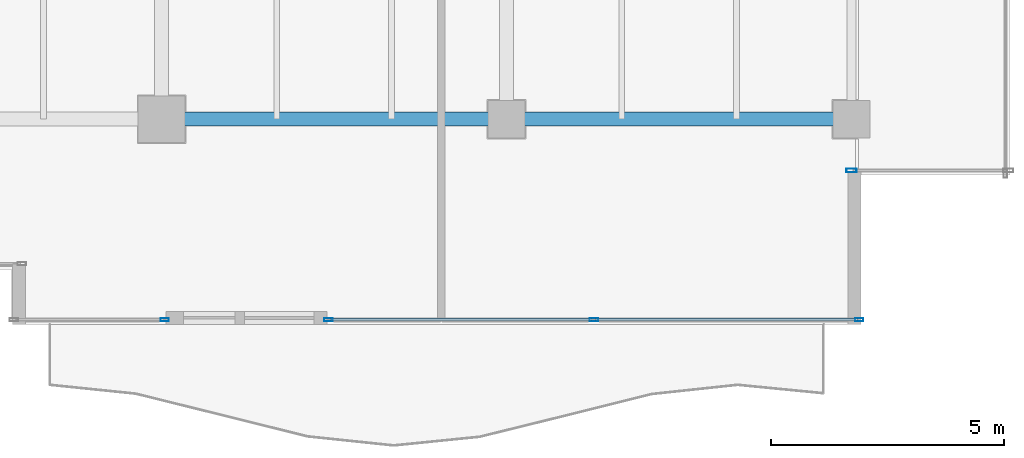
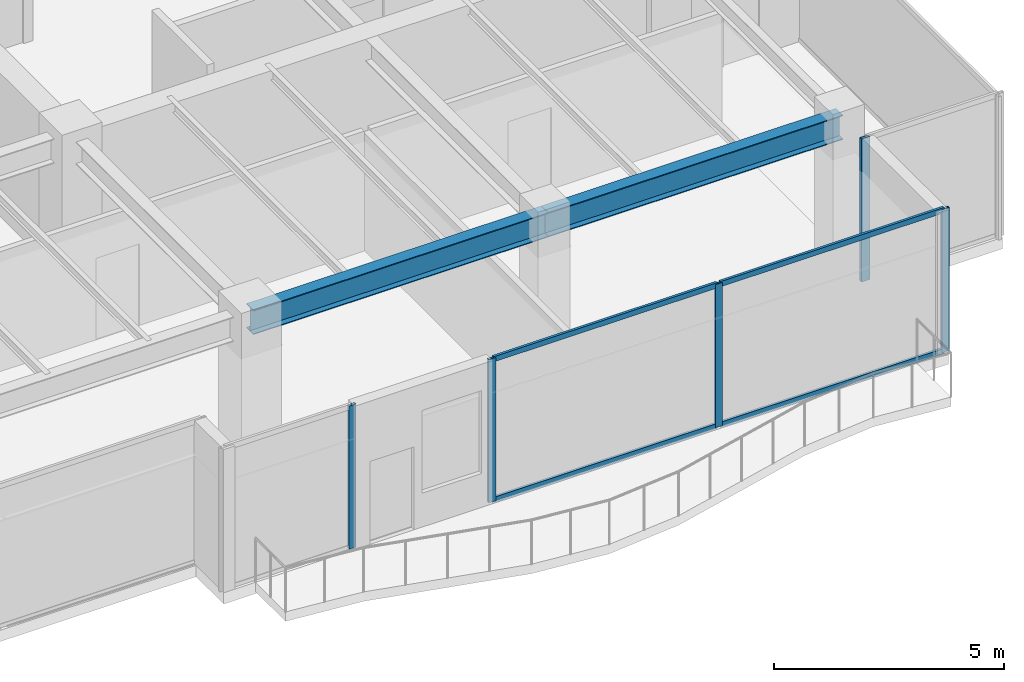
# One storey, part 12 of 35: 9 members, 2 beams, 3 elements without a shape of their own.
"""IFC4 building model written with IfcOpenShell, lengths in metres."""

import ifcopenshell
import ifcopenshell.guid

model = None  # the IFC model being written
_history = None  # IfcOwnerHistory: only IFC2X3 demands one
_inside = {}  # id of a spatial element -> (the spatial element, [elements in it])
_under = {}  # id of a project, library or spatial element -> (it, [spatial elements below it])
_declared = {}  # id of a project -> (the project, [libraries it declares])
_typed = {}  # id of a type object -> (the type object, [elements of that type])
_made_of = {}  # id of a material, layer set ... -> (it, [elements and type objects made of it])


def new_model(schema):
    """Start an empty IFC model of exactly this schema.

    Asked for "IFC4X3", IfcOpenShell would pick the latest addendum, in which some entities
    have other attributes; the version numbers below select the first issue.
    IFC2X3 requires an IfcOwnerHistory on every rooted entity: one is made here for all.
    """
    global model, _history
    if schema == "IFC4X3":
        model = ifcopenshell.file(schema_version=(4, 3, 0, 0))
    else:
        model = ifcopenshell.file(schema=schema)
    _inside.clear()
    _under.clear()
    _declared.clear()
    _typed.clear()
    _made_of.clear()
    _history = None
    if model.schema == "IFC2X3":
        org = make("IfcOrganization", Name="unknown")
        user = make(
            "IfcPersonAndOrganization",
            ThePerson=make("IfcPerson", FamilyName="unknown"),
            TheOrganization=org,
        )
        app = make(
            "IfcApplication",
            ApplicationDeveloper=org,
            Version="unknown",
            ApplicationFullName="unknown",
            ApplicationIdentifier="unknown",
        )
        _history = make(
            "IfcOwnerHistory",
            OwningUser=user,
            OwningApplication=app,
            ChangeAction="ADDED",
            CreationDate=0,
        )
    return model


def make(cls, **values):
    """One entity of the class cls with the attributes given. An attribute that is None is left unset."""
    return model.create_entity(
        cls, **{name: value for name, value in values.items() if value is not None}
    )


def rooted(cls, **values):
    """An entity with a GlobalId (a new one), such as an element, a storey or a relation."""
    return make(cls, GlobalId=ifcopenshell.guid.new(), OwnerHistory=_history, **values)


def si_unit(unit_type, name, prefix=None):
    """IfcSIUnit, for example si_unit("LENGTHUNIT", "METRE", prefix="MILLI")."""
    return make("IfcSIUnit", UnitType=unit_type, Prefix=prefix, Name=name)


def assignment(units):
    """IfcUnitAssignment: the units of a project."""
    return None if units is None else make("IfcUnitAssignment", Units=units)


def point(xyz):
    """IfcCartesianPoint."""
    return None if xyz is None else make("IfcCartesianPoint", Coordinates=xyz)


def direction(xyz):
    """IfcDirection."""
    return None if xyz is None else make("IfcDirection", DirectionRatios=xyz)


def frame(location, z_axis=None, x_axis=None):
    """IfcAxis2Placement3D, a coordinate frame: its origin and axes. An axis left out is left unset."""
    return make(
        "IfcAxis2Placement3D",
        Location=point(location),
        Axis=direction(z_axis),
        RefDirection=direction(x_axis),
    )


def frame_2d(location, x_axis=None):
    """IfcAxis2Placement2D, a coordinate frame in the plane: its origin and x axis."""
    return make(
        "IfcAxis2Placement2D", Location=point(location), RefDirection=direction(x_axis)
    )


def origin():
    """The frame at (0, 0, 0) with its axes left unset."""
    return frame((0.0, 0.0, 0.0))


def origin_2d():
    """The frame at (0, 0) in the plane with its x axis left unset."""
    return frame_2d((0.0, 0.0))


def place(relative_to, where):
    """IfcLocalPlacement: puts the frame where relative to a parent placement (None: the world)."""
    return make(
        "IfcLocalPlacement", PlacementRelTo=relative_to, RelativePlacement=where
    )


def context(
    kind, dimensions, precision=None, world=None, true_north=None, identifier=None
):
    """IfcGeometricRepresentationContext, for example the 3D "Model" context."""
    return make(
        "IfcGeometricRepresentationContext",
        ContextIdentifier=identifier,
        ContextType=kind,
        CoordinateSpaceDimension=dimensions,
        Precision=precision,
        WorldCoordinateSystem=world,
        TrueNorth=true_north,
    )


def subcontext(parent, identifier, kind, view, scale=None):
    """IfcGeometricRepresentationSubContext, for example "Body" below "Model"."""
    return make(
        "IfcGeometricRepresentationSubContext",
        ContextIdentifier=identifier,
        ContextType=kind,
        ParentContext=parent,
        TargetScale=scale,
        TargetView=view,
    )


def project(units=None, contexts=None):
    """IfcProject with its units and contexts."""
    return rooted(
        "IfcProject",
        Name="project",
        RepresentationContexts=contexts,
        UnitsInContext=assignment(units),
    )


def spatial(cls, under=None, at=None, **own):
    """A site, building, storey or space (cls), placed at a placement, below another one or the project."""
    s = rooted(cls, ObjectPlacement=at, **own)
    if under is not None:
        _under.setdefault(under.id(), (under, []))[1].append(s)
    return s


def profile(cls, at=None, kind="AREA", **sizes):
    """A parametric profile (cls). Its sizes go by their IFC names, for example OverallWidth=200.0."""
    return make(cls, ProfileType=kind, Position=at, **sizes)


def hollow_rectangle(**sizes):
    """IfcRectangleHollowProfileDef."""
    return profile("IfcRectangleHollowProfileDef", **sizes)


def i_section(**sizes):
    """IfcIShapeProfileDef."""
    return profile("IfcIShapeProfileDef", **sizes)


def extrude(swept, where, along, depth):
    """IfcExtrudedAreaSolid: the profile swept, set in the frame where, extruded along a direction by depth."""
    return make(
        "IfcExtrudedAreaSolid",
        SweptArea=swept,
        Position=where,
        ExtrudedDirection=direction(along),
        Depth=depth,
    )


def shape(context_of_items, identifier, shape_type, items):
    """IfcShapeRepresentation: the items that make up one representation, for example the "Body"."""
    return make(
        "IfcShapeRepresentation",
        ContextOfItems=context_of_items,
        RepresentationIdentifier=identifier,
        RepresentationType=shape_type,
        Items=items,
    )


def source(mapping_origin, context_of_items, identifier, shape_type, items):
    """IfcRepresentationMap: a shape defined once, which mapped items show again and again."""
    return make(
        "IfcRepresentationMap",
        MappingOrigin=mapping_origin,
        MappedRepresentation=shape(context_of_items, identifier, shape_type, items),
    )


def transform(
    local_origin,
    x_axis=None,
    y_axis=None,
    z_axis=None,
    scale=None,
    scale2=None,
    scale3=None,
    uniform=True,
):
    """IfcCartesianTransformationOperator3D, or its non-uniform kind. x_axis, y_axis, z_axis: its Axis1, 2, 3."""
    if uniform:
        return make(
            "IfcCartesianTransformationOperator3D",
            Axis1=direction(x_axis),
            Axis2=direction(y_axis),
            LocalOrigin=point(local_origin),
            Scale=scale,
            Axis3=direction(z_axis),
        )
    return make(
        "IfcCartesianTransformationOperator3DnonUniform",
        Axis1=direction(x_axis),
        Axis2=direction(y_axis),
        LocalOrigin=point(local_origin),
        Scale=scale,
        Axis3=direction(z_axis),
        Scale2=scale2,
        Scale3=scale3,
    )


def mapped(mapping_source, mapping_target):
    """IfcMappedItem: shows the shape of a source again, moved by a transform."""
    return make(
        "IfcMappedItem", MappingSource=mapping_source, MappingTarget=mapping_target
    )


def material(Name=None, Category=None):
    """IfcMaterial."""
    return make("IfcMaterial", Name=Name, Category=Category)


def layer(
    of_material, thickness, ventilated=None, Name=None, Category=None, Priority=None
):
    """IfcMaterialLayer: one layer of a wall or slab, of a material (None: an air gap)."""
    return make(
        "IfcMaterialLayer",
        Material=of_material,
        LayerThickness=thickness,
        IsVentilated=ventilated,
        Name=Name,
        Category=Category,
        Priority=Priority,
    )


def layer_set(layers, Name=None):
    """IfcMaterialLayerSet."""
    return make("IfcMaterialLayerSet", MaterialLayers=layers, LayerSetName=Name)


def material_profile(
    of_material, cross_section, Name=None, Category=None, Priority=None
):
    """IfcMaterialProfile: a cross section and its material."""
    return make(
        "IfcMaterialProfile",
        Name=Name,
        Material=of_material,
        Profile=cross_section,
        Priority=Priority,
        Category=Category,
    )


def profile_set(profiles, Name=None, composite=None):
    """IfcMaterialProfileSet."""
    return make(
        "IfcMaterialProfileSet",
        Name=Name,
        MaterialProfiles=profiles,
        CompositeProfile=composite,
    )


def made_of(thing, what):
    """Note that an element or type object is made of a material, layer set ...; save() writes the relation."""
    if what is not None:
        _made_of.setdefault(what.id(), (what, []))[1].append(thing)
    return thing


def type_object(cls, material=None, **own):
    """A type object (cls), such as IfcWallType, which elements share."""
    return made_of(rooted(cls, **own), material)


def type_shapes(of_type, sources):
    """Give a type object the sources (RepresentationMaps) that its elements show as mapped items."""
    of_type.RepresentationMaps = sources


def element(
    cls,
    number,
    at=None,
    inside=None,
    cuts=None,
    type_object=None,
    material=None,
    context=None,
    identifier="Body",
    shape_type=None,
    held_by="IfcProductDefinitionShape",
    body=None,
    shapes=None,
    **own,
):
    """One element of the class cls, such as IfcWall. Its Tag is "e" and its number.

    at: its placement. inside: the storey or other place that contains it. cuts: it is an
    opening in that element (IfcRelVoidsElement). A single representation is given by context,
    identifier, shape_type and body (its items); several are given by shapes. held_by: the class
    of the entity that holds the representations. save() writes the other relations.
    """
    e = rooted(cls, Tag="e%d" % number, ObjectPlacement=at, **own)
    if body is not None:
        shapes = [shape(context, identifier, shape_type, body)]
    if shapes is not None:
        e.Representation = make(held_by, Representations=shapes)
    if inside is not None:
        _inside.setdefault(inside.id(), (inside, []))[1].append(e)
    if cuts is not None:
        rooted(
            "IfcRelVoidsElement", RelatingBuildingElement=cuts, RelatedOpeningElement=e
        )
    if type_object is not None:
        _typed.setdefault(type_object.id(), (type_object, []))[1].append(e)
    return made_of(e, material)


def aggregate(whole, parts):
    """IfcRelAggregates: a whole, such as a stair, and the parts it consists of."""
    return rooted("IfcRelAggregates", RelatingObject=whole, RelatedObjects=parts)


def save(model, path):
    """Write the relations noted so far, then the file.

    IfcRelAggregates (storeys below a building ...), IfcRelContainedInSpatialStructure (elements
    in a storey), IfcRelDefinesByType, IfcRelAssociatesMaterial and IfcRelDeclares: one each for
    every whole, place, type object, material and project.
    """
    for whole, parts in _under.values():
        aggregate(whole, parts)
    for where, things in _inside.values():
        rooted(
            "IfcRelContainedInSpatialStructure",
            RelatedElements=things,
            RelatingStructure=where,
        )
    for kind, things in _typed.values():
        rooted("IfcRelDefinesByType", RelatedObjects=things, RelatingType=kind)
    for what, things in _made_of.values():
        rooted("IfcRelAssociatesMaterial", RelatedObjects=things, RelatingMaterial=what)
    for by, libraries in _declared.values():
        rooted("IfcRelDeclares", RelatingContext=by, RelatedDefinitions=libraries)
    model.write(path)


model = new_model("IFC4")

# Units and contexts
model_context = context("Model", 3, precision=1e-05, world=origin(), true_north=direction((0.0, 1.0)))
body_context = subcontext(model_context, "Body", "Model", "MODEL_VIEW")
ifc_project = project(units=[si_unit("LENGTHUNIT", "METRE"), si_unit("AREAUNIT", "SQUARE_METRE"), si_unit("VOLUMEUNIT", "CUBIC_METRE"), si_unit("PLANEANGLEUNIT", "RADIAN"), si_unit("MASSUNIT", "GRAM", prefix="KILO")], contexts=[model_context])

# Site, building, storey
site_placement = place(None, origin())
site = spatial("IfcSite", under=ifc_project, at=site_placement, CompositionType="ELEMENT")
building_placement = place(site_placement, origin())
building = spatial("IfcBuilding", under=site, at=building_placement, Name="Haelvirn Gate Laboratories", CompositionType="ELEMENT")
storey_placement = place(building_placement, frame((0.0, 0.0, 283.39990234375)))
storey = spatial("IfcBuildingStorey", under=building, at=storey_placement, Name="L68", CompositionType="ELEMENT", Elevation=283.39990234375)

# Beams
ifc_material_1 = material(Name="Steel SM355", Category="steel")
ifc_material_profile_1 = material_profile(ifc_material_1, i_section(OverallWidth=0.300048828125, OverallDepth=0.64990234375, WebThickness=0.012939453125, FlangeThickness=0.02197265625, at=origin_2d()), Name="H-650x300x13x22")
ifc_profile_set_1 = profile_set([ifc_material_profile_1], Name="Steel SM355")
beam_type = type_object("IfcBeamType", Name="BM-G-650", PredefinedType="BEAM", material=ifc_profile_set_1)
shared_shape_1 = source(origin(), body_context, "Body", "SweptSolid", [
    extrude(i_section(OverallWidth=0.300048828125, OverallDepth=0.64990234375, WebThickness=0.012939453125, FlangeThickness=0.02197265625, at=origin_2d()), origin(), (0.0, 0.0, 1.0), 7.39990234375),
])
type_shapes(beam_type, [shared_shape_1])
for number, where, z_axis, x_axis, name in (
    (1, (52.60009765625, 7.0, 3.47509765625), (1.0, 0.0, 0.0), (0.0, 1.0, 0.0), "L68 Primary Girder Y7.0 (52.6-60.0)"),
    (2, (60.0, 7.0, 3.47509765625), (1.0, 0.0, 0.0), (0.0, 1.0, 0.0), "L68 Primary Girder Y7.0 (60.0-67.4)"),
):
    element("IfcBeam", number, at=place(storey_placement, frame(where, z_axis=z_axis, x_axis=x_axis)), inside=storey, type_object=beam_type, Name=name, PredefinedType="BEAM", context=body_context, shape_type="MappedRepresentation", body=[
        mapped(shared_shape_1, transform((0.0, 0.0, 0.0), scale=1.0)),
    ])

# Curtain wall, member
ifc_material_2 = material(Name="Anodised bronze unitised aluminium & triple low-E glass", Category="aluminium")
ifc_layer_1 = layer(ifc_material_2, 0.176025390625, Name="CW-SYS-4")
ifc_layer_set_1 = layer_set([ifc_layer_1], Name="Anodised bronze unitised aluminium & triple low-E glass")
curtain_wall_type_1 = type_object("IfcCurtainWallType", Name="CW-SYS-4", PredefinedType="NOTDEFINED", material=ifc_layer_set_1)
curtain_wall_1_placement = place(storey_placement, origin())
curtain_wall_1 = element("IfcCurtainWall", 3, at=curtain_wall_1_placement, inside=storey, type_object=curtain_wall_type_1, Name="L68 Unitised Curtain Wall CW-L68-P0-E04-1", PredefinedType="NOTDEFINED")
ifc_material_3 = material(Name="Extruded aluminium 6063-T6 (anodised bronze)", Category="aluminium")
ifc_material_profile_2 = material_profile(ifc_material_3, hollow_rectangle(XDim=0.070068359375, YDim=0.179931640625, WallThickness=0.0048828125, at=origin_2d()), Name="CWM-180x70x5")
ifc_profile_set_2 = profile_set([ifc_material_profile_2], Name="Extruded aluminium 6063-T6 (anodised bronze)")
member_type_1 = type_object("IfcMemberType", Name="CWM-T180", PredefinedType="MULLION", material=ifc_profile_set_2)
shared_shape_2 = source(origin(), body_context, "Body", "SweptSolid", [
    extrude(hollow_rectangle(XDim=0.070068359375, YDim=0.179931640625, WallThickness=0.0048828125, at=origin_2d()), origin(), (0.0, 0.0, 1.0), 3.800048828125),
])
type_shapes(member_type_1, [shared_shape_2])
member_1_placement = place(storey_placement, frame((52.669921875, 2.699951171875, 0.0), z_axis=(0.0, 0.0, 1.0), x_axis=(0.0, 1.0, 0.0)))
member_1 = element("IfcMember", 4, at=member_1_placement, type_object=member_type_1, Name="CW4 mullion 2", PredefinedType="MULLION", context=body_context, shape_type="MappedRepresentation", body=[
    mapped(shared_shape_2, transform((0.0, 0.0, 0.0), scale=1.0)),
])
aggregate(curtain_wall_1, [member_1])

# Curtain wall, members
curtain_wall_2_placement = place(storey_placement, origin())
curtain_wall_2 = element("IfcCurtainWall", 5, at=curtain_wall_2_placement, inside=storey, type_object=curtain_wall_type_1, Name="L68 Unitised Curtain Wall CW-L68-P0-E04-2", PredefinedType="NOTDEFINED")
member_2_placement = place(storey_placement, frame((56.179931640625, 2.699951171875, 0.0), z_axis=(0.0, 0.0, 1.0), x_axis=(0.0, 1.0, 0.0)))
member_2 = element("IfcMember", 6, at=member_2_placement, type_object=member_type_1, Name="CW4 mullion 1", PredefinedType="MULLION", context=body_context, shape_type="MappedRepresentation", body=[
    mapped(shared_shape_2, transform((0.0, 0.0, 0.0), scale=1.0)),
])
member_3_placement = place(storey_placement, frame((61.87255859375, 2.699951171875, 0.0), z_axis=(0.0, 0.0, 1.0), x_axis=(0.0, 1.0, 0.0)))
member_3 = element("IfcMember", 7, at=member_3_placement, type_object=member_type_1, Name="CW4 mullion 2", PredefinedType="MULLION", context=body_context, shape_type="MappedRepresentation", body=[
    mapped(shared_shape_2, transform((0.0, 0.0, 0.0), scale=1.0)),
])
member_4_placement = place(storey_placement, frame((67.56494140625, 2.699951171875, 0.0), z_axis=(0.0, 0.0, 1.0), x_axis=(0.0, 1.0, 0.0)))
member_4 = element("IfcMember", 8, at=member_4_placement, type_object=member_type_1, Name="CW4 mullion 3", PredefinedType="MULLION", context=body_context, shape_type="MappedRepresentation", body=[
    mapped(shared_shape_2, transform((0.0, 0.0, 0.0), scale=1.0)),
])

# Curtain wall, member
ifc_layer_2 = layer(ifc_material_2, 0.181884765625, Name="CW-SYS-5")
ifc_layer_set_2 = layer_set([ifc_layer_2], Name="Anodised bronze unitised aluminium & triple low-E glass")
curtain_wall_type_2 = type_object("IfcCurtainWallType", Name="CW-SYS-5", PredefinedType="NOTDEFINED", material=ifc_layer_set_2)
curtain_wall_3_placement = place(storey_placement, origin())
curtain_wall_3 = element("IfcCurtainWall", 9, at=curtain_wall_3_placement, inside=storey, type_object=curtain_wall_type_2, Name="L68 Unitised Curtain Wall CW-L68-P0-E06-1", PredefinedType="NOTDEFINED")
ifc_material_profile_3 = material_profile(ifc_material_3, hollow_rectangle(XDim=0.080078125, YDim=0.219970703125, WallThickness=0.006103515625, at=origin_2d()), Name="CWM-220x80x6")
ifc_profile_set_3 = profile_set([ifc_material_profile_3], Name="Extruded aluminium 6063-T6 (anodised bronze)")
member_type_2 = type_object("IfcMemberType", Name="CWM-T220", PredefinedType="MULLION", material=ifc_profile_set_3)
shared_shape_3 = source(origin(), body_context, "Body", "SweptSolid", [
    extrude(hollow_rectangle(XDim=0.080078125, YDim=0.219970703125, WallThickness=0.006103515625, at=origin_2d()), origin(), (0.0, 0.0, 1.0), 3.800048828125),
])
type_shapes(member_type_2, [shared_shape_3])
member_5_placement = place(storey_placement, frame((67.39990234375, 5.89990234375, 0.0), z_axis=(0.0, 0.0, 1.0), x_axis=(0.0, 1.0, 0.0)))
member_5 = element("IfcMember", 10, at=member_5_placement, type_object=member_type_2, Name="CW5 mullion 1", PredefinedType="MULLION", context=body_context, shape_type="MappedRepresentation", body=[
    mapped(shared_shape_3, transform((0.0, 0.0, 0.0), scale=1.0)),
])
aggregate(curtain_wall_3, [member_5])

# Member
ifc_material_profile_4 = material_profile(ifc_material_3, hollow_rectangle(XDim=0.06494140625, YDim=0.139892578125, WallThickness=0.00390625, at=origin_2d()), Name="CWT-140x65x4")
ifc_profile_set_4 = profile_set([ifc_material_profile_4], Name="Extruded aluminium 6063-T6 (anodised bronze)")
member_type_3 = type_object("IfcMemberType", Name="CWT-T140", PredefinedType="USERDEFINED", material=ifc_profile_set_4)
shared_shape_4 = source(origin(), body_context, "Body", "SweptSolid", [
    extrude(hollow_rectangle(XDim=0.06494140625, YDim=0.139892578125, WallThickness=0.00390625, at=origin_2d()), origin(), (0.0, 0.0, 1.0), 5.622314453125),
])
member_6_placement = place(storey_placement, frame((56.215087890625, 2.699951171875, 0.03271484375), z_axis=(1.0, 0.0, 0.0), x_axis=(0.0, 1.0, 0.0)))
member_6 = element("IfcMember", 11, at=member_6_placement, type_object=member_type_3, Name="CW4 transom 1.1", ObjectType="TRANSOM", PredefinedType="USERDEFINED", context=body_context, shape_type="MappedRepresentation", body=[
    mapped(shared_shape_4, transform((0.0, 0.0, 0.0), scale=1.0)),
])

member_7_placement = place(storey_placement, frame((56.215087890625, 2.699951171875, 3.767578125), z_axis=(1.0, 0.0, 0.0), x_axis=(0.0, 1.0, 0.0)))
member_7 = element("IfcMember", 12, at=member_7_placement, type_object=member_type_3, Name="CW4 transom 1.2", ObjectType="TRANSOM", PredefinedType="USERDEFINED", context=body_context, shape_type="MappedRepresentation", body=[
    mapped(shared_shape_4, transform((0.0, 0.0, 0.0), scale=1.0)),
])

shared_shape_5 = source(origin(), body_context, "Body", "SweptSolid", [
    extrude(hollow_rectangle(XDim=0.06494140625, YDim=0.139892578125, WallThickness=0.00390625, at=origin_2d()), origin(), (0.0, 0.0, 1.0), 5.62255859375),
])
type_shapes(member_type_3, [shared_shape_4, shared_shape_5])
member_8_placement = place(storey_placement, frame((61.907470703125, 2.699951171875, 0.03271484375), z_axis=(1.0, 0.0, 0.0), x_axis=(0.0, 1.0, 0.0)))
member_8 = element("IfcMember", 13, at=member_8_placement, type_object=member_type_3, Name="CW4 transom 2.1", ObjectType="TRANSOM", PredefinedType="USERDEFINED", context=body_context, shape_type="MappedRepresentation", body=[
    mapped(shared_shape_5, transform((0.0, 0.0, 0.0), scale=1.0)),
])

member_9_placement = place(storey_placement, frame((61.907470703125, 2.699951171875, 3.767578125), z_axis=(1.0, 0.0, 0.0), x_axis=(0.0, 1.0, 0.0)))
member_9 = element("IfcMember", 14, at=member_9_placement, type_object=member_type_3, Name="CW4 transom 2.2", ObjectType="TRANSOM", PredefinedType="USERDEFINED", context=body_context, shape_type="MappedRepresentation", body=[
    mapped(shared_shape_5, transform((0.0, 0.0, 0.0), scale=1.0)),
])

aggregate(curtain_wall_2, [member_2, member_3, member_4, member_6, member_7, member_8, member_9])

save(model, "model.ifc")
